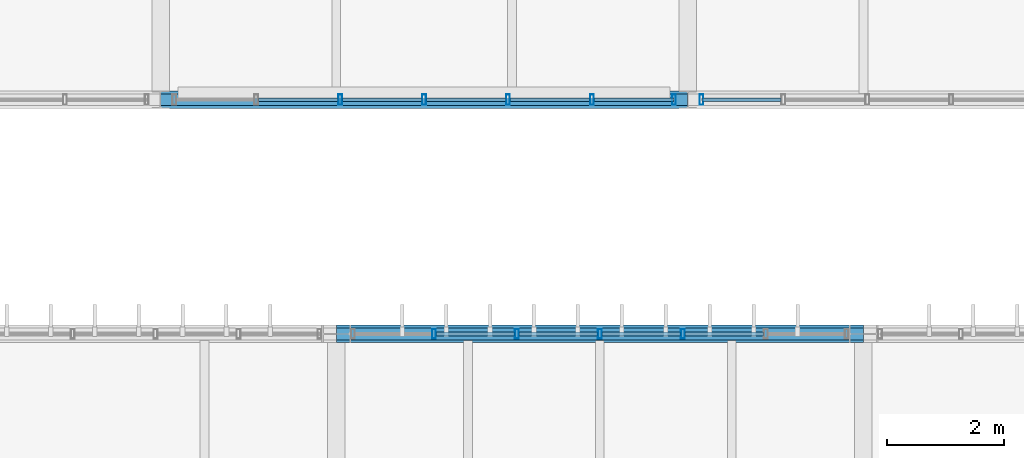
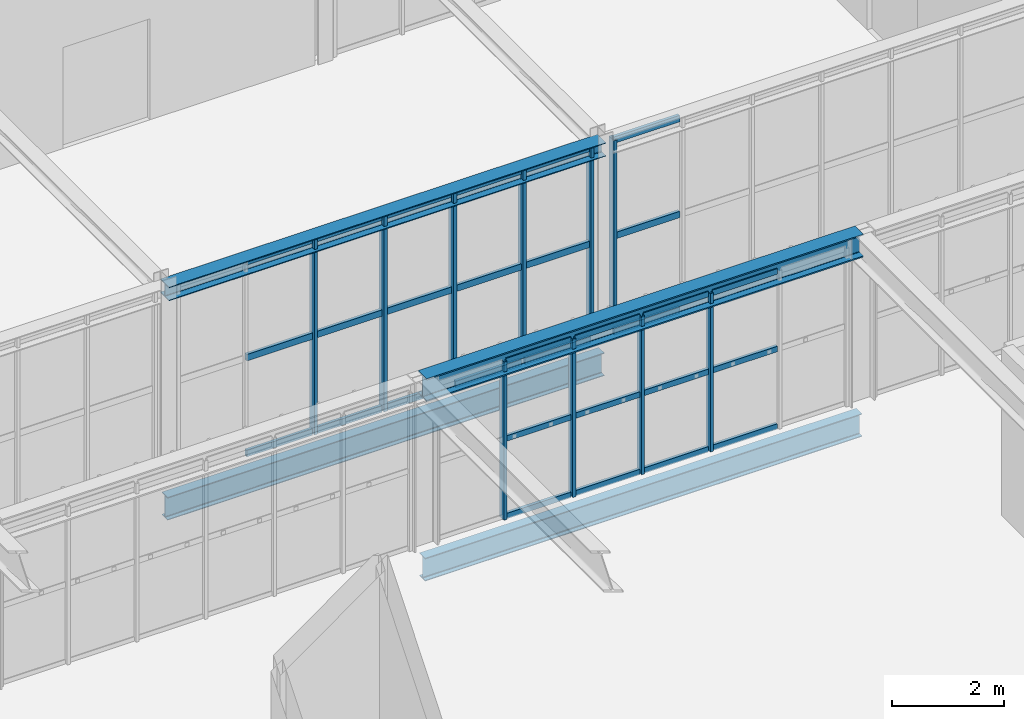
# One storey, part 62 of 152: 40 members, 4 beams, 3 elements without a shape of their own.
"""IFC4 building model written with IfcOpenShell, lengths in metres."""

from ifc_helpers import new_model, si_unit, derived_unit, direction, frame, origin, origin_2d, place, context, subcontext, project, spatial, hollow_rectangle, i_section, extrude, material, material_profile, profile_set, type_object, element, aggregate, save


model = new_model("IFC4")

# Units and contexts
model_context = context("Model", 3, precision=1e-05, world=origin(), true_north=direction((0.0, 1.0)))
body_context = subcontext(model_context, "Body", "Model", "MODEL_VIEW")
ifc_project = project(units=[si_unit("LENGTHUNIT", "METRE"), si_unit("AREAUNIT", "SQUARE_METRE"), si_unit("VOLUMEUNIT", "CUBIC_METRE"), si_unit("PLANEANGLEUNIT", "RADIAN"), si_unit("MASSUNIT", "GRAM", prefix="KILO"), si_unit("THERMODYNAMICTEMPERATUREUNIT", "KELVIN"), si_unit("TIMEUNIT", "SECOND"), derived_unit("THERMALTRANSMITTANCEUNIT", [(si_unit("MASSUNIT", "GRAM", prefix="KILO"), 1), (si_unit("THERMODYNAMICTEMPERATUREUNIT", "KELVIN"), -1), (si_unit("TIMEUNIT", "SECOND"), -3)])], contexts=[model_context])

# Site, building, storey
site_placement = place(None, origin())
site = spatial("IfcSite", under=ifc_project, at=site_placement, CompositionType="ELEMENT")
building_placement = place(site_placement, origin())
building = spatial("IfcBuilding", under=site, at=building_placement, Name="Cambertide Market Hall", CompositionType="ELEMENT")
storey_placement = place(building_placement, frame((0.0, 0.0, 5.39990234375)))
storey = spatial("IfcBuildingStorey", under=building, at=storey_placement, Name="L02", CompositionType="ELEMENT", Elevation=5.39990234375)

# Curtain wall, members
ifc_material_1 = material(Name="Marine Anodized Aluminium 6063-T6 AA25", Category="aluminium")
curtain_wall_type_1 = type_object("IfcCurtainWallType", Name="Lantern Straight Upper Curtain Wall", PredefinedType="USERDEFINED", material=ifc_material_1)
curtain_wall_1_placement = place(storey_placement, origin())
curtain_wall_1 = element("IfcCurtainWall", 1, at=curtain_wall_1_placement, inside=storey, type_object=curtain_wall_type_1, Name="Level 2 Curtain Wall CW-V1N-L02-4", ObjectType="UNITIZED CURTAIN WALL", PredefinedType="USERDEFINED")
ifc_material_2 = material(Name="Champagne Marine Anodized Aluminium 6063-T6 AA25", Category="aluminium")
ifc_material_profile_1 = material_profile(ifc_material_2, hollow_rectangle(XDim=0.06494140625, YDim=0.159912109375, WallThickness=0.00341796875, at=origin_2d()), Name="ALU MULLION 65x160")
ifc_profile_set_1 = profile_set([ifc_material_profile_1], Name="Champagne Marine Anodized Aluminium 6063-T6 AA25")
member_type_1 = type_object("IfcMemberType", Name="Curtain Wall Mullion ALU MULLION 65x160", PredefinedType="MULLION", material=ifc_profile_set_1)
member_1_placement = place(storey_placement, frame((70.666748046875, 92.0, 0.0), z_axis=(0.0, 0.0, 1.0), x_axis=(1.0, 0.0, 0.0)))
member_1 = element("IfcMember", 2, at=member_1_placement, type_object=member_type_1, Name="CW-V1N-L02-4 Mullion 2", PredefinedType="MULLION", context=body_context, shape_type="SweptSolid", body=[
    extrude(hollow_rectangle(XDim=0.06494140625, YDim=0.159912109375, WallThickness=0.00341796875, at=origin_2d()), origin(), (0.0, 0.0, 1.0), 3.4501953125),
])
member_2_placement = place(storey_placement, frame((72.083251953125, 92.0, 0.0), z_axis=(0.0, 0.0, 1.0), x_axis=(1.0, 0.0, 0.0)))
member_2 = element("IfcMember", 3, at=member_2_placement, type_object=member_type_1, Name="CW-V1N-L02-4 Mullion 3", PredefinedType="MULLION", context=body_context, shape_type="SweptSolid", body=[
    extrude(hollow_rectangle(XDim=0.06494140625, YDim=0.159912109375, WallThickness=0.00341796875, at=origin_2d()), origin(), (0.0, 0.0, 1.0), 3.4501953125),
])
member_3_placement = place(storey_placement, frame((73.5, 92.0, 0.0), z_axis=(0.0, 0.0, 1.0), x_axis=(1.0, 0.0, 0.0)))
member_3 = element("IfcMember", 4, at=member_3_placement, type_object=member_type_1, Name="CW-V1N-L02-4 Mullion 4", PredefinedType="MULLION", context=body_context, shape_type="SweptSolid", body=[
    extrude(hollow_rectangle(XDim=0.06494140625, YDim=0.159912109375, WallThickness=0.00341796875, at=origin_2d()), origin(), (0.0, 0.0, 1.0), 3.4501953125),
])
member_4_placement = place(storey_placement, frame((74.916748046875, 92.0, 0.0), z_axis=(0.0, 0.0, 1.0), x_axis=(1.0, 0.0, 0.0)))
member_4 = element("IfcMember", 5, at=member_4_placement, type_object=member_type_1, Name="CW-V1N-L02-4 Mullion 5", PredefinedType="MULLION", context=body_context, shape_type="SweptSolid", body=[
    extrude(hollow_rectangle(XDim=0.06494140625, YDim=0.159912109375, WallThickness=0.00341796875, at=origin_2d()), origin(), (0.0, 0.0, 1.0), 3.4501953125),
])

ifc_material_3 = material(Name="Marine Anodized Aluminium 6063-T6 AA25", Category="aluminium")
curtain_wall_type_2 = type_object("IfcCurtainWallType", Name="Herb Tea Pavilion Terrace Glazed Wall", PredefinedType="USERDEFINED", material=ifc_material_3)
curtain_wall_2_placement = place(storey_placement, origin())
curtain_wall_2 = element("IfcCurtainWall", 6, at=curtain_wall_2_placement, inside=storey, type_object=curtain_wall_type_2, Name="Level 2 Curtain Wall CW-V2PAV-S-6", ObjectType="UNITIZED CURTAIN WALL", PredefinedType="USERDEFINED")
ifc_material_4 = material(Name="Champagne Marine Anodized Aluminium 6063-T6 AA25", Category="aluminium")
ifc_material_profile_2 = material_profile(ifc_material_4, hollow_rectangle(XDim=0.06494140625, YDim=0.179931640625, WallThickness=0.00390625, at=origin_2d()), Name="ALU MULLION 65x180")
ifc_profile_set_2 = profile_set([ifc_material_profile_2], Name="Champagne Marine Anodized Aluminium 6063-T6 AA25")
member_type_2 = type_object("IfcMemberType", Name="Curtain Wall Mullion ALU MULLION 65x180", PredefinedType="MULLION", material=ifc_profile_set_2)
member_5_placement = place(storey_placement, frame((74.764892578125, 96.0, 0.0), z_axis=(0.0, 0.0, 1.0), x_axis=(-1.0, 0.0, 0.0)))
member_5 = element("IfcMember", 7, at=member_5_placement, type_object=member_type_2, Name="CW-V2PAV-S-6 Mullion 1", PredefinedType="MULLION", context=body_context, shape_type="SweptSolid", body=[
    extrude(hollow_rectangle(XDim=0.06494140625, YDim=0.179931640625, WallThickness=0.00390625, at=origin_2d()), origin(), (0.0, 0.0, 1.0), 4.25),
])
member_6_placement = place(storey_placement, frame((73.36669921875, 96.0, 0.0), z_axis=(0.0, 0.0, 1.0), x_axis=(-1.0, 0.0, 0.0)))
member_6 = element("IfcMember", 8, at=member_6_placement, type_object=member_type_2, Name="CW-V2PAV-S-6 Mullion 2", PredefinedType="MULLION", context=body_context, shape_type="SweptSolid", body=[
    extrude(hollow_rectangle(XDim=0.06494140625, YDim=0.179931640625, WallThickness=0.00390625, at=origin_2d()), origin(), (0.0, 0.0, 1.0), 4.25),
])
member_7_placement = place(storey_placement, frame((71.933349609375, 96.0, 0.0), z_axis=(0.0, 0.0, 1.0), x_axis=(-1.0, 0.0, 0.0)))
member_7 = element("IfcMember", 9, at=member_7_placement, type_object=member_type_2, Name="CW-V2PAV-S-6 Mullion 3", PredefinedType="MULLION", context=body_context, shape_type="SweptSolid", body=[
    extrude(hollow_rectangle(XDim=0.06494140625, YDim=0.179931640625, WallThickness=0.00390625, at=origin_2d()), origin(), (0.0, 0.0, 1.0), 4.25),
])
member_8_placement = place(storey_placement, frame((70.5, 96.0, 0.0), z_axis=(0.0, 0.0, 1.0), x_axis=(-1.0, 0.0, 0.0)))
member_8 = element("IfcMember", 10, at=member_8_placement, type_object=member_type_2, Name="CW-V2PAV-S-6 Mullion 4", PredefinedType="MULLION", context=body_context, shape_type="SweptSolid", body=[
    extrude(hollow_rectangle(XDim=0.06494140625, YDim=0.179931640625, WallThickness=0.00390625, at=origin_2d()), origin(), (0.0, 0.0, 1.0), 4.25),
])
member_9_placement = place(storey_placement, frame((69.066650390625, 96.0, 0.0), z_axis=(0.0, 0.0, 1.0), x_axis=(-1.0, 0.0, 0.0)))
member_9 = element("IfcMember", 11, at=member_9_placement, type_object=member_type_2, Name="CW-V2PAV-S-6 Mullion 5", PredefinedType="MULLION", context=body_context, shape_type="SweptSolid", body=[
    extrude(hollow_rectangle(XDim=0.06494140625, YDim=0.179931640625, WallThickness=0.00390625, at=origin_2d()), origin(), (0.0, 0.0, 1.0), 4.25),
])

# Curtain wall, member
curtain_wall_3_placement = place(storey_placement, origin())
curtain_wall_3 = element("IfcCurtainWall", 12, at=curtain_wall_3_placement, inside=storey, type_object=curtain_wall_type_2, Name="Level 2 Curtain Wall CW-V2PAV-S-7", ObjectType="UNITIZED CURTAIN WALL", PredefinedType="USERDEFINED")
member_10_placement = place(storey_placement, frame((75.235107421875, 96.0, 0.0), z_axis=(0.0, 0.0, 1.0), x_axis=(-1.0, 0.0, 0.0)))
member_10 = element("IfcMember", 13, at=member_10_placement, type_object=member_type_2, Name="CW-V2PAV-S-7 Mullion 7", PredefinedType="MULLION", context=body_context, shape_type="SweptSolid", body=[
    extrude(hollow_rectangle(XDim=0.06494140625, YDim=0.179931640625, WallThickness=0.00390625, at=origin_2d()), origin(), (0.0, 0.0, 1.0), 4.25),
])

# Member
ifc_material_5 = material(Name="Champagne Marine Anodized Aluminium 6063-T6 AA25", Category="aluminium")
ifc_material_profile_3 = material_profile(ifc_material_5, hollow_rectangle(XDim=0.06494140625, YDim=0.1201171875, WallThickness=0.003173828125, at=origin_2d()), Name="ALU TRANSOM 65x120")
ifc_profile_set_3 = profile_set([ifc_material_profile_3], Name="Champagne Marine Anodized Aluminium 6063-T6 AA25")
member_type_3 = type_object("IfcMemberType", Name="Curtain Wall Transom ALU TRANSOM 65x120", PredefinedType="USERDEFINED", material=ifc_profile_set_3)
member_11_placement = place(storey_placement, frame((70.706787109375, 92.0, 0.03515625), z_axis=(1.0, 0.0, 0.0), x_axis=(0.0, 1.0, 0.0)))
member_11 = element("IfcMember", 14, at=member_11_placement, type_object=member_type_3, Name="CW-V1N-L02-4 Transom 1-2", ObjectType="TRANSOM", PredefinedType="USERDEFINED", context=body_context, shape_type="SweptSolid", body=[
    extrude(hollow_rectangle(XDim=0.06494140625, YDim=0.1201171875, WallThickness=0.003173828125, at=origin_2d()), origin(), (0.0, 0.0, 1.0), 1.33642578125),
])

member_12_placement = place(storey_placement, frame((72.123291015625, 92.0, 0.03515625), z_axis=(1.0, 0.0, 0.0), x_axis=(0.0, 1.0, 0.0)))
member_12 = element("IfcMember", 15, at=member_12_placement, type_object=member_type_3, Name="CW-V1N-L02-4 Transom 1-3", ObjectType="TRANSOM", PredefinedType="USERDEFINED", context=body_context, shape_type="SweptSolid", body=[
    extrude(hollow_rectangle(XDim=0.06494140625, YDim=0.1201171875, WallThickness=0.003173828125, at=origin_2d()), origin(), (0.0, 0.0, 1.0), 1.336669921875),
])

member_13_placement = place(storey_placement, frame((73.5400390625, 92.0, 0.03515625), z_axis=(1.0, 0.0, 0.0), x_axis=(0.0, 1.0, 0.0)))
member_13 = element("IfcMember", 16, at=member_13_placement, type_object=member_type_3, Name="CW-V1N-L02-4 Transom 1-4", ObjectType="TRANSOM", PredefinedType="USERDEFINED", context=body_context, shape_type="SweptSolid", body=[
    extrude(hollow_rectangle(XDim=0.06494140625, YDim=0.1201171875, WallThickness=0.003173828125, at=origin_2d()), origin(), (0.0, 0.0, 1.0), 1.336669921875),
])

member_14_placement = place(storey_placement, frame((74.956787109375, 92.0, 0.03515625), z_axis=(1.0, 0.0, 0.0), x_axis=(0.0, 1.0, 0.0)))
member_14 = element("IfcMember", 17, at=member_14_placement, type_object=member_type_3, Name="CW-V1N-L02-4 Transom 1-5", ObjectType="TRANSOM", PredefinedType="USERDEFINED", context=body_context, shape_type="SweptSolid", body=[
    extrude(hollow_rectangle(XDim=0.06494140625, YDim=0.1201171875, WallThickness=0.003173828125, at=origin_2d()), origin(), (0.0, 0.0, 1.0), 1.33642578125),
])

member_15_placement = place(storey_placement, frame((70.706787109375, 92.0, 1.72509765625), z_axis=(1.0, 0.0, 0.0), x_axis=(0.0, 1.0, 0.0)))
member_15 = element("IfcMember", 18, at=member_15_placement, type_object=member_type_3, Name="CW-V1N-L02-4 Transom 2-2", ObjectType="TRANSOM", PredefinedType="USERDEFINED", context=body_context, shape_type="SweptSolid", body=[
    extrude(hollow_rectangle(XDim=0.06494140625, YDim=0.1201171875, WallThickness=0.003173828125, at=origin_2d()), origin(), (0.0, 0.0, 1.0), 1.33642578125),
])

member_16_placement = place(storey_placement, frame((72.123291015625, 92.0, 1.72509765625), z_axis=(1.0, 0.0, 0.0), x_axis=(0.0, 1.0, 0.0)))
member_16 = element("IfcMember", 19, at=member_16_placement, type_object=member_type_3, Name="CW-V1N-L02-4 Transom 2-3", ObjectType="TRANSOM", PredefinedType="USERDEFINED", context=body_context, shape_type="SweptSolid", body=[
    extrude(hollow_rectangle(XDim=0.06494140625, YDim=0.1201171875, WallThickness=0.003173828125, at=origin_2d()), origin(), (0.0, 0.0, 1.0), 1.336669921875),
])

member_17_placement = place(storey_placement, frame((73.5400390625, 92.0, 1.72509765625), z_axis=(1.0, 0.0, 0.0), x_axis=(0.0, 1.0, 0.0)))
member_17 = element("IfcMember", 20, at=member_17_placement, type_object=member_type_3, Name="CW-V1N-L02-4 Transom 2-4", ObjectType="TRANSOM", PredefinedType="USERDEFINED", context=body_context, shape_type="SweptSolid", body=[
    extrude(hollow_rectangle(XDim=0.06494140625, YDim=0.1201171875, WallThickness=0.003173828125, at=origin_2d()), origin(), (0.0, 0.0, 1.0), 1.336669921875),
])

member_18_placement = place(storey_placement, frame((74.956787109375, 92.0, 1.72509765625), z_axis=(1.0, 0.0, 0.0), x_axis=(0.0, 1.0, 0.0)))
member_18 = element("IfcMember", 21, at=member_18_placement, type_object=member_type_3, Name="CW-V1N-L02-4 Transom 2-5", ObjectType="TRANSOM", PredefinedType="USERDEFINED", context=body_context, shape_type="SweptSolid", body=[
    extrude(hollow_rectangle(XDim=0.06494140625, YDim=0.1201171875, WallThickness=0.003173828125, at=origin_2d()), origin(), (0.0, 0.0, 1.0), 1.33642578125),
])

member_19_placement = place(storey_placement, frame((70.706787109375, 92.0, 3.4150390625), z_axis=(1.0, 0.0, 0.0), x_axis=(0.0, 1.0, 0.0)))
member_19 = element("IfcMember", 22, at=member_19_placement, type_object=member_type_3, Name="CW-V1N-L02-4 Transom 3-2", ObjectType="TRANSOM", PredefinedType="USERDEFINED", context=body_context, shape_type="SweptSolid", body=[
    extrude(hollow_rectangle(XDim=0.06494140625, YDim=0.1201171875, WallThickness=0.003173828125, at=origin_2d()), origin(), (0.0, 0.0, 1.0), 1.33642578125),
])

member_20_placement = place(storey_placement, frame((72.123291015625, 92.0, 3.4150390625), z_axis=(1.0, 0.0, 0.0), x_axis=(0.0, 1.0, 0.0)))
member_20 = element("IfcMember", 23, at=member_20_placement, type_object=member_type_3, Name="CW-V1N-L02-4 Transom 3-3", ObjectType="TRANSOM", PredefinedType="USERDEFINED", context=body_context, shape_type="SweptSolid", body=[
    extrude(hollow_rectangle(XDim=0.06494140625, YDim=0.1201171875, WallThickness=0.003173828125, at=origin_2d()), origin(), (0.0, 0.0, 1.0), 1.336669921875),
])

member_21_placement = place(storey_placement, frame((73.5400390625, 92.0, 3.4150390625), z_axis=(1.0, 0.0, 0.0), x_axis=(0.0, 1.0, 0.0)))
member_21 = element("IfcMember", 24, at=member_21_placement, type_object=member_type_3, Name="CW-V1N-L02-4 Transom 3-4", ObjectType="TRANSOM", PredefinedType="USERDEFINED", context=body_context, shape_type="SweptSolid", body=[
    extrude(hollow_rectangle(XDim=0.06494140625, YDim=0.1201171875, WallThickness=0.003173828125, at=origin_2d()), origin(), (0.0, 0.0, 1.0), 1.336669921875),
])

member_22_placement = place(storey_placement, frame((74.956787109375, 92.0, 3.4150390625), z_axis=(1.0, 0.0, 0.0), x_axis=(0.0, 1.0, 0.0)))
member_22 = element("IfcMember", 25, at=member_22_placement, type_object=member_type_3, Name="CW-V1N-L02-4 Transom 3-5", ObjectType="TRANSOM", PredefinedType="USERDEFINED", context=body_context, shape_type="SweptSolid", body=[
    extrude(hollow_rectangle(XDim=0.06494140625, YDim=0.1201171875, WallThickness=0.003173828125, at=origin_2d()), origin(), (0.0, 0.0, 1.0), 1.33642578125),
])

aggregate(curtain_wall_1, [member_1, member_2, member_3, member_4, member_11, member_12, member_13, member_14, member_15, member_16, member_17, member_18, member_19, member_20, member_21, member_22])

ifc_material_6 = material(Name="Champagne Marine Anodized Aluminium 6063-T6 AA25", Category="aluminium")
ifc_material_profile_4 = material_profile(ifc_material_6, hollow_rectangle(XDim=0.06494140625, YDim=0.139892578125, WallThickness=0.00341796875, at=origin_2d()), Name="ALU TRANSOM 65x140")
ifc_profile_set_4 = profile_set([ifc_material_profile_4], Name="Champagne Marine Anodized Aluminium 6063-T6 AA25")
member_type_4 = type_object("IfcMemberType", Name="Curtain Wall Transom ALU TRANSOM 65x140", PredefinedType="USERDEFINED", material=ifc_profile_set_4)
member_23_placement = place(storey_placement, frame((74.760009765625, 96.0, 0.03515625), z_axis=(-1.0, 0.0, 0.0), x_axis=(0.0, -1.0, 0.0)))
member_23 = element("IfcMember", 26, at=member_23_placement, type_object=member_type_4, Name="CW-V2PAV-S-6 Transom 1-1", ObjectType="TRANSOM", PredefinedType="USERDEFINED", context=body_context, shape_type="SweptSolid", body=[
    extrude(hollow_rectangle(XDim=0.06494140625, YDim=0.139892578125, WallThickness=0.00341796875, at=origin_2d()), origin(), (0.0, 0.0, 1.0), 1.353271484375),
])

member_24_placement = place(storey_placement, frame((73.32666015625, 96.0, 0.03515625), z_axis=(-1.0, 0.0, 0.0), x_axis=(0.0, -1.0, 0.0)))
member_24 = element("IfcMember", 27, at=member_24_placement, type_object=member_type_4, Name="CW-V2PAV-S-6 Transom 1-2", ObjectType="TRANSOM", PredefinedType="USERDEFINED", context=body_context, shape_type="SweptSolid", body=[
    extrude(hollow_rectangle(XDim=0.06494140625, YDim=0.139892578125, WallThickness=0.00341796875, at=origin_2d()), origin(), (0.0, 0.0, 1.0), 1.353271484375),
])

member_25_placement = place(storey_placement, frame((71.893310546875, 96.0, 0.03515625), z_axis=(-1.0, 0.0, 0.0), x_axis=(0.0, -1.0, 0.0)))
member_25 = element("IfcMember", 28, at=member_25_placement, type_object=member_type_4, Name="CW-V2PAV-S-6 Transom 1-3", ObjectType="TRANSOM", PredefinedType="USERDEFINED", context=body_context, shape_type="SweptSolid", body=[
    extrude(hollow_rectangle(XDim=0.06494140625, YDim=0.139892578125, WallThickness=0.00341796875, at=origin_2d()), origin(), (0.0, 0.0, 1.0), 1.353271484375),
])

member_26_placement = place(storey_placement, frame((70.4599609375, 96.0, 0.03515625), z_axis=(-1.0, 0.0, 0.0), x_axis=(0.0, -1.0, 0.0)))
member_26 = element("IfcMember", 29, at=member_26_placement, type_object=member_type_4, Name="CW-V2PAV-S-6 Transom 1-4", ObjectType="TRANSOM", PredefinedType="USERDEFINED", context=body_context, shape_type="SweptSolid", body=[
    extrude(hollow_rectangle(XDim=0.06494140625, YDim=0.139892578125, WallThickness=0.00341796875, at=origin_2d()), origin(), (0.0, 0.0, 1.0), 1.353271484375),
])

member_27_placement = place(storey_placement, frame((69.026611328125, 96.0, 0.03515625), z_axis=(-1.0, 0.0, 0.0), x_axis=(0.0, -1.0, 0.0)))
member_27 = element("IfcMember", 30, at=member_27_placement, type_object=member_type_4, Name="CW-V2PAV-S-6 Transom 1-5", ObjectType="TRANSOM", PredefinedType="USERDEFINED", context=body_context, shape_type="SweptSolid", body=[
    extrude(hollow_rectangle(XDim=0.06494140625, YDim=0.139892578125, WallThickness=0.00341796875, at=origin_2d()), origin(), (0.0, 0.0, 1.0), 1.353271484375),
])

member_28_placement = place(storey_placement, frame((74.760009765625, 96.0, 2.125), z_axis=(-1.0, 0.0, 0.0), x_axis=(0.0, -1.0, 0.0)))
member_28 = element("IfcMember", 31, at=member_28_placement, type_object=member_type_4, Name="CW-V2PAV-S-6 Transom 2-1", ObjectType="TRANSOM", PredefinedType="USERDEFINED", context=body_context, shape_type="SweptSolid", body=[
    extrude(hollow_rectangle(XDim=0.06494140625, YDim=0.139892578125, WallThickness=0.00341796875, at=origin_2d()), origin(), (0.0, 0.0, 1.0), 1.353271484375),
])

member_29_placement = place(storey_placement, frame((73.32666015625, 96.0, 2.125), z_axis=(-1.0, 0.0, 0.0), x_axis=(0.0, -1.0, 0.0)))
member_29 = element("IfcMember", 32, at=member_29_placement, type_object=member_type_4, Name="CW-V2PAV-S-6 Transom 2-2", ObjectType="TRANSOM", PredefinedType="USERDEFINED", context=body_context, shape_type="SweptSolid", body=[
    extrude(hollow_rectangle(XDim=0.06494140625, YDim=0.139892578125, WallThickness=0.00341796875, at=origin_2d()), origin(), (0.0, 0.0, 1.0), 1.353271484375),
])

member_30_placement = place(storey_placement, frame((71.893310546875, 96.0, 2.125), z_axis=(-1.0, 0.0, 0.0), x_axis=(0.0, -1.0, 0.0)))
member_30 = element("IfcMember", 33, at=member_30_placement, type_object=member_type_4, Name="CW-V2PAV-S-6 Transom 2-3", ObjectType="TRANSOM", PredefinedType="USERDEFINED", context=body_context, shape_type="SweptSolid", body=[
    extrude(hollow_rectangle(XDim=0.06494140625, YDim=0.139892578125, WallThickness=0.00341796875, at=origin_2d()), origin(), (0.0, 0.0, 1.0), 1.353271484375),
])

member_31_placement = place(storey_placement, frame((70.4599609375, 96.0, 2.125), z_axis=(-1.0, 0.0, 0.0), x_axis=(0.0, -1.0, 0.0)))
member_31 = element("IfcMember", 34, at=member_31_placement, type_object=member_type_4, Name="CW-V2PAV-S-6 Transom 2-4", ObjectType="TRANSOM", PredefinedType="USERDEFINED", context=body_context, shape_type="SweptSolid", body=[
    extrude(hollow_rectangle(XDim=0.06494140625, YDim=0.139892578125, WallThickness=0.00341796875, at=origin_2d()), origin(), (0.0, 0.0, 1.0), 1.353271484375),
])

member_32_placement = place(storey_placement, frame((69.026611328125, 96.0, 2.125), z_axis=(-1.0, 0.0, 0.0), x_axis=(0.0, -1.0, 0.0)))
member_32 = element("IfcMember", 35, at=member_32_placement, type_object=member_type_4, Name="CW-V2PAV-S-6 Transom 2-5", ObjectType="TRANSOM", PredefinedType="USERDEFINED", context=body_context, shape_type="SweptSolid", body=[
    extrude(hollow_rectangle(XDim=0.06494140625, YDim=0.139892578125, WallThickness=0.00341796875, at=origin_2d()), origin(), (0.0, 0.0, 1.0), 1.353271484375),
])

member_33_placement = place(storey_placement, frame((74.760009765625, 96.0, 4.215087890625), z_axis=(-1.0, 0.0, 0.0), x_axis=(0.0, -1.0, 0.0)))
member_33 = element("IfcMember", 36, at=member_33_placement, type_object=member_type_4, Name="CW-V2PAV-S-6 Transom 3-1", ObjectType="TRANSOM", PredefinedType="USERDEFINED", context=body_context, shape_type="SweptSolid", body=[
    extrude(hollow_rectangle(XDim=0.06494140625, YDim=0.139892578125, WallThickness=0.00341796875, at=origin_2d()), origin(), (0.0, 0.0, 1.0), 1.353271484375),
])

member_34_placement = place(storey_placement, frame((73.32666015625, 96.0, 4.215087890625), z_axis=(-1.0, 0.0, 0.0), x_axis=(0.0, -1.0, 0.0)))
member_34 = element("IfcMember", 37, at=member_34_placement, type_object=member_type_4, Name="CW-V2PAV-S-6 Transom 3-2", ObjectType="TRANSOM", PredefinedType="USERDEFINED", context=body_context, shape_type="SweptSolid", body=[
    extrude(hollow_rectangle(XDim=0.06494140625, YDim=0.139892578125, WallThickness=0.00341796875, at=origin_2d()), origin(), (0.0, 0.0, 1.0), 1.353271484375),
])

member_35_placement = place(storey_placement, frame((71.893310546875, 96.0, 4.215087890625), z_axis=(-1.0, 0.0, 0.0), x_axis=(0.0, -1.0, 0.0)))
member_35 = element("IfcMember", 38, at=member_35_placement, type_object=member_type_4, Name="CW-V2PAV-S-6 Transom 3-3", ObjectType="TRANSOM", PredefinedType="USERDEFINED", context=body_context, shape_type="SweptSolid", body=[
    extrude(hollow_rectangle(XDim=0.06494140625, YDim=0.139892578125, WallThickness=0.00341796875, at=origin_2d()), origin(), (0.0, 0.0, 1.0), 1.353271484375),
])

member_36_placement = place(storey_placement, frame((70.4599609375, 96.0, 4.215087890625), z_axis=(-1.0, 0.0, 0.0), x_axis=(0.0, -1.0, 0.0)))
member_36 = element("IfcMember", 39, at=member_36_placement, type_object=member_type_4, Name="CW-V2PAV-S-6 Transom 3-4", ObjectType="TRANSOM", PredefinedType="USERDEFINED", context=body_context, shape_type="SweptSolid", body=[
    extrude(hollow_rectangle(XDim=0.06494140625, YDim=0.139892578125, WallThickness=0.00341796875, at=origin_2d()), origin(), (0.0, 0.0, 1.0), 1.353271484375),
])

member_37_placement = place(storey_placement, frame((69.026611328125, 96.0, 4.215087890625), z_axis=(-1.0, 0.0, 0.0), x_axis=(0.0, -1.0, 0.0)))
member_37 = element("IfcMember", 40, at=member_37_placement, type_object=member_type_4, Name="CW-V2PAV-S-6 Transom 3-5", ObjectType="TRANSOM", PredefinedType="USERDEFINED", context=body_context, shape_type="SweptSolid", body=[
    extrude(hollow_rectangle(XDim=0.06494140625, YDim=0.139892578125, WallThickness=0.00341796875, at=origin_2d()), origin(), (0.0, 0.0, 1.0), 1.353271484375),
])

aggregate(curtain_wall_2, [member_5, member_6, member_7, member_8, member_9, member_23, member_24, member_25, member_26, member_27, member_28, member_29, member_30, member_31, member_32, member_33, member_34, member_35, member_36, member_37])

member_38_placement = place(storey_placement, frame((76.59326171875, 96.0, 0.03515625), z_axis=(-1.0, 0.0, 0.0), x_axis=(0.0, -1.0, 0.0)))
member_38 = element("IfcMember", 41, at=member_38_placement, type_object=member_type_4, Name="CW-V2PAV-S-7 Transom 1-6", ObjectType="TRANSOM", PredefinedType="USERDEFINED", context=body_context, shape_type="SweptSolid", body=[
    extrude(hollow_rectangle(XDim=0.06494140625, YDim=0.139892578125, WallThickness=0.00341796875, at=origin_2d()), origin(), (0.0, 0.0, 1.0), 1.353271484375),
])

member_39_placement = place(storey_placement, frame((76.59326171875, 96.0, 2.125), z_axis=(-1.0, 0.0, 0.0), x_axis=(0.0, -1.0, 0.0)))
member_39 = element("IfcMember", 42, at=member_39_placement, type_object=member_type_4, Name="CW-V2PAV-S-7 Transom 2-6", ObjectType="TRANSOM", PredefinedType="USERDEFINED", context=body_context, shape_type="SweptSolid", body=[
    extrude(hollow_rectangle(XDim=0.06494140625, YDim=0.139892578125, WallThickness=0.00341796875, at=origin_2d()), origin(), (0.0, 0.0, 1.0), 1.353271484375),
])

member_40_placement = place(storey_placement, frame((76.59326171875, 96.0, 4.215087890625), z_axis=(-1.0, 0.0, 0.0), x_axis=(0.0, -1.0, 0.0)))
member_40 = element("IfcMember", 43, at=member_40_placement, type_object=member_type_4, Name="CW-V2PAV-S-7 Transom 3-6", ObjectType="TRANSOM", PredefinedType="USERDEFINED", context=body_context, shape_type="SweptSolid", body=[
    extrude(hollow_rectangle(XDim=0.06494140625, YDim=0.139892578125, WallThickness=0.00341796875, at=origin_2d()), origin(), (0.0, 0.0, 1.0), 1.353271484375),
])

aggregate(curtain_wall_3, [member_10, member_38, member_39, member_40])

# Beams
ifc_material_7 = material(Name="Steel S355", Category="steel")
ifc_material_profile_5 = material_profile(ifc_material_7, i_section(OverallWidth=0.300048828125, OverallDepth=0.300048828125, WebThickness=0.010986328125, FlangeThickness=0.01904296875, FilletRadius=0.027099609375, at=origin_2d()), Name="HEB 300")
ifc_profile_set_5 = profile_set([ifc_material_profile_5], Name="Steel S355")
beam_type_1 = type_object("IfcBeamType", Name="Exterior Steel Girder HEB 300", PredefinedType="BEAM", material=ifc_profile_set_5)
beam_1_placement = place(storey_placement, frame((66.0, 96.0, 4.170166015625), z_axis=(1.0, 0.0, 0.0), x_axis=(0.0, 1.0, 0.0)))
element("IfcBeam", 44, at=beam_1_placement, inside=storey, type_object=beam_type_1, Name="Level 2 Beam BM-V2PAV-X-6-0", PredefinedType="BEAM", context=body_context, shape_type="SweptSolid", body=[
    extrude(i_section(OverallWidth=0.300048828125, OverallDepth=0.300048828125, WebThickness=0.010986328125, FlangeThickness=0.01904296875, FilletRadius=0.027099609375, at=origin_2d()), origin(), (0.0, 0.0, 1.0), 9.0),
])
ifc_material_8 = material(Name="Steel S355", Category="steel")
ifc_material_profile_6 = material_profile(ifc_material_8, i_section(OverallWidth=0.300048828125, OverallDepth=0.5, WebThickness=0.014404296875, FlangeThickness=0.028076171875, FilletRadius=0.027099609375, at=origin_2d()), Name="HEB 500")
ifc_profile_set_6 = profile_set([ifc_material_profile_6], Name="Steel S355")
beam_type_2 = type_object("IfcBeamType", Name="Exterior Steel Girder HEB 500", PredefinedType="BEAM", material=ifc_profile_set_6)
beam_2_placement = place(storey_placement, frame((69.0, 92.0, 3.4501953125), z_axis=(1.0, 0.0, 0.0), x_axis=(0.0, 1.0, 0.0)))
element("IfcBeam", 45, at=beam_2_placement, inside=storey, type_object=beam_type_2, Name="Level 2 Beam EAVE-V1N-4", PredefinedType="BEAM", context=body_context, shape_type="SweptSolid", body=[
    extrude(i_section(OverallWidth=0.300048828125, OverallDepth=0.5, WebThickness=0.014404296875, FlangeThickness=0.028076171875, FilletRadius=0.027099609375, at=origin_2d()), origin(), (0.0, 0.0, 1.0), 9.0),
])
ifc_material_9 = material(Name="Steel S355", Category="steel")
ifc_material_profile_7 = material_profile(ifc_material_9, i_section(OverallWidth=0.199951171875, OverallDepth=0.5, WebThickness=0.01025390625, FlangeThickness=0.01611328125, FilletRadius=0.02099609375, at=origin_2d()), Name="IPE 500")
ifc_profile_set_7 = profile_set([ifc_material_profile_7], Name="Steel S355")
beam_type_3 = type_object("IfcBeamType", Name="Perimeter Spandrel Beam IPE 500", PredefinedType="SPANDREL", material=ifc_profile_set_7)
beam_3_placement = place(storey_placement, frame((69.0, 92.0, -0.489990234375), z_axis=(1.0, 0.0, 0.0), x_axis=(0.0, 1.0, 0.0)))
element("IfcBeam", 46, at=beam_3_placement, inside=storey, type_object=beam_type_3, Name="Level 2 Spandrel BM-V1N-L02-4", PredefinedType="SPANDREL", context=body_context, shape_type="SweptSolid", body=[
    extrude(i_section(OverallWidth=0.199951171875, OverallDepth=0.5, WebThickness=0.01025390625, FlangeThickness=0.01611328125, FilletRadius=0.02099609375, at=origin_2d()), origin(), (0.0, 0.0, 1.0), 9.0),
])
ifc_material_10 = material(Name="Steel S355", Category="steel")
ifc_material_profile_8 = material_profile(ifc_material_10, i_section(OverallWidth=0.199951171875, OverallDepth=0.5, WebThickness=0.01025390625, FlangeThickness=0.01611328125, FilletRadius=0.02099609375, at=origin_2d()), Name="IPE 500")
ifc_profile_set_8 = profile_set([ifc_material_profile_8], Name="Steel S355")
beam_type_4 = type_object("IfcBeamType", Name="Steel Girder IPE 500", PredefinedType="BEAM", material=ifc_profile_set_8)
beam_4_placement = place(storey_placement, frame((66.0, 96.0, -0.539794921875), z_axis=(1.0, 0.0, 0.0), x_axis=(0.0, 1.0, 0.0)))
element("IfcBeam", 47, at=beam_4_placement, inside=storey, type_object=beam_type_4, Name="Level 2 Beam BM-V2X-L02-7-1", PredefinedType="BEAM", context=body_context, shape_type="SweptSolid", body=[
    extrude(i_section(OverallWidth=0.199951171875, OverallDepth=0.5, WebThickness=0.01025390625, FlangeThickness=0.01611328125, FilletRadius=0.02099609375, at=origin_2d()), origin(), (0.0, 0.0, 1.0), 9.0),
])

save(model, "model.ifc")
